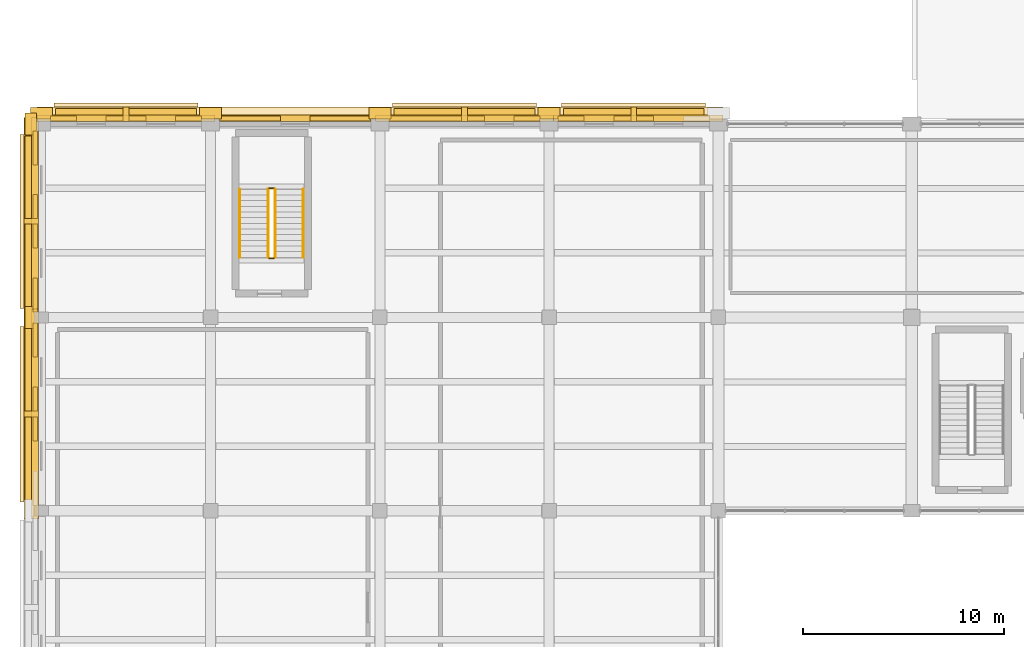
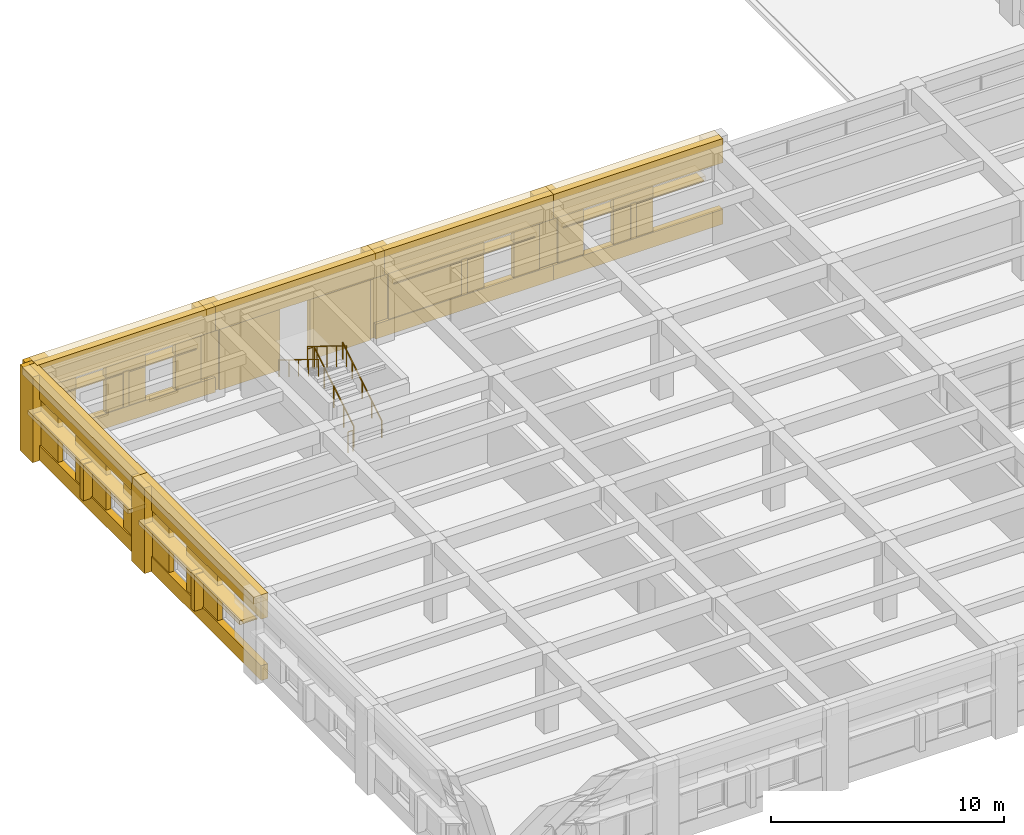
# One storey, part 42 of 49: 47 coverings, 6 railings, 5 shading devices.
"""IFC4 building model written with IfcOpenShell, lengths in metres."""

import ifcopenshell
import ifcopenshell.guid

model = None  # the IFC model being written
_history = None  # IfcOwnerHistory: only IFC2X3 demands one
_inside = {}  # id of a spatial element -> (the spatial element, [elements in it])
_under = {}  # id of a project, library or spatial element -> (it, [spatial elements below it])
_declared = {}  # id of a project -> (the project, [libraries it declares])
_typed = {}  # id of a type object -> (the type object, [elements of that type])
_made_of = {}  # id of a material, layer set ... -> (it, [elements and type objects made of it])


def new_model(schema):
    """Start an empty IFC model of exactly this schema.

    Asked for "IFC4X3", IfcOpenShell would pick the latest addendum, in which some entities
    have other attributes; the version numbers below select the first issue.
    IFC2X3 requires an IfcOwnerHistory on every rooted entity: one is made here for all.
    """
    global model, _history
    if schema == "IFC4X3":
        model = ifcopenshell.file(schema_version=(4, 3, 0, 0))
    else:
        model = ifcopenshell.file(schema=schema)
    _inside.clear()
    _under.clear()
    _declared.clear()
    _typed.clear()
    _made_of.clear()
    _history = None
    if model.schema == "IFC2X3":
        org = make("IfcOrganization", Name="unknown")
        user = make(
            "IfcPersonAndOrganization",
            ThePerson=make("IfcPerson", FamilyName="unknown"),
            TheOrganization=org,
        )
        app = make(
            "IfcApplication",
            ApplicationDeveloper=org,
            Version="unknown",
            ApplicationFullName="unknown",
            ApplicationIdentifier="unknown",
        )
        _history = make(
            "IfcOwnerHistory",
            OwningUser=user,
            OwningApplication=app,
            ChangeAction="ADDED",
            CreationDate=0,
        )
    return model


def make(cls, **values):
    """One entity of the class cls with the attributes given. An attribute that is None is left unset."""
    return model.create_entity(
        cls, **{name: value for name, value in values.items() if value is not None}
    )


def rooted(cls, **values):
    """An entity with a GlobalId (a new one), such as an element, a storey or a relation."""
    return make(cls, GlobalId=ifcopenshell.guid.new(), OwnerHistory=_history, **values)


def si_unit(unit_type, name, prefix=None):
    """IfcSIUnit, for example si_unit("LENGTHUNIT", "METRE", prefix="MILLI")."""
    return make("IfcSIUnit", UnitType=unit_type, Prefix=prefix, Name=name)


def assignment(units):
    """IfcUnitAssignment: the units of a project."""
    return None if units is None else make("IfcUnitAssignment", Units=units)


def point(xyz):
    """IfcCartesianPoint."""
    return None if xyz is None else make("IfcCartesianPoint", Coordinates=xyz)


def direction(xyz):
    """IfcDirection."""
    return None if xyz is None else make("IfcDirection", DirectionRatios=xyz)


def frame(location, z_axis=None, x_axis=None):
    """IfcAxis2Placement3D, a coordinate frame: its origin and axes. An axis left out is left unset."""
    return make(
        "IfcAxis2Placement3D",
        Location=point(location),
        Axis=direction(z_axis),
        RefDirection=direction(x_axis),
    )


def frame_2d(location, x_axis=None):
    """IfcAxis2Placement2D, a coordinate frame in the plane: its origin and x axis."""
    return make(
        "IfcAxis2Placement2D", Location=point(location), RefDirection=direction(x_axis)
    )


def origin():
    """The frame at (0, 0, 0) with its axes left unset."""
    return frame((0.0, 0.0, 0.0))


def origin_2d():
    """The frame at (0, 0) in the plane with its x axis left unset."""
    return frame_2d((0.0, 0.0))


def place(relative_to, where):
    """IfcLocalPlacement: puts the frame where relative to a parent placement (None: the world)."""
    return make(
        "IfcLocalPlacement", PlacementRelTo=relative_to, RelativePlacement=where
    )


def context(
    kind, dimensions, precision=None, world=None, true_north=None, identifier=None
):
    """IfcGeometricRepresentationContext, for example the 3D "Model" context."""
    return make(
        "IfcGeometricRepresentationContext",
        ContextIdentifier=identifier,
        ContextType=kind,
        CoordinateSpaceDimension=dimensions,
        Precision=precision,
        WorldCoordinateSystem=world,
        TrueNorth=true_north,
    )


def subcontext(parent, identifier, kind, view, scale=None):
    """IfcGeometricRepresentationSubContext, for example "Body" below "Model"."""
    return make(
        "IfcGeometricRepresentationSubContext",
        ContextIdentifier=identifier,
        ContextType=kind,
        ParentContext=parent,
        TargetScale=scale,
        TargetView=view,
    )


def project(units=None, contexts=None):
    """IfcProject with its units and contexts."""
    return rooted(
        "IfcProject",
        Name="project",
        RepresentationContexts=contexts,
        UnitsInContext=assignment(units),
    )


def spatial(cls, under=None, at=None, **own):
    """A site, building, storey or space (cls), placed at a placement, below another one or the project."""
    s = rooted(cls, ObjectPlacement=at, **own)
    if under is not None:
        _under.setdefault(under.id(), (under, []))[1].append(s)
    return s


def profile(cls, at=None, kind="AREA", **sizes):
    """A parametric profile (cls). Its sizes go by their IFC names, for example OverallWidth=200.0."""
    return make(cls, ProfileType=kind, Position=at, **sizes)


def rectangle(**sizes):
    """IfcRectangleProfileDef."""
    return profile("IfcRectangleProfileDef", **sizes)


def circle(**sizes):
    """IfcCircleProfileDef."""
    return profile("IfcCircleProfileDef", **sizes)


def extrude(swept, where, along, depth):
    """IfcExtrudedAreaSolid: the profile swept, set in the frame where, extruded along a direction by depth."""
    return make(
        "IfcExtrudedAreaSolid",
        SweptArea=swept,
        Position=where,
        ExtrudedDirection=direction(along),
        Depth=depth,
    )


def shape(context_of_items, identifier, shape_type, items):
    """IfcShapeRepresentation: the items that make up one representation, for example the "Body"."""
    return make(
        "IfcShapeRepresentation",
        ContextOfItems=context_of_items,
        RepresentationIdentifier=identifier,
        RepresentationType=shape_type,
        Items=items,
    )


def material(Name=None, Category=None):
    """IfcMaterial."""
    return make("IfcMaterial", Name=Name, Category=Category)


def layer(
    of_material, thickness, ventilated=None, Name=None, Category=None, Priority=None
):
    """IfcMaterialLayer: one layer of a wall or slab, of a material (None: an air gap)."""
    return make(
        "IfcMaterialLayer",
        Material=of_material,
        LayerThickness=thickness,
        IsVentilated=ventilated,
        Name=Name,
        Category=Category,
        Priority=Priority,
    )


def layer_set(layers, Name=None):
    """IfcMaterialLayerSet."""
    return make("IfcMaterialLayerSet", MaterialLayers=layers, LayerSetName=Name)


def made_of(thing, what):
    """Note that an element or type object is made of a material, layer set ...; save() writes the relation."""
    if what is not None:
        _made_of.setdefault(what.id(), (what, []))[1].append(thing)
    return thing


def type_object(cls, material=None, **own):
    """A type object (cls), such as IfcWallType, which elements share."""
    return made_of(rooted(cls, **own), material)


def element(
    cls,
    number,
    at=None,
    inside=None,
    cuts=None,
    type_object=None,
    material=None,
    context=None,
    identifier="Body",
    shape_type=None,
    held_by="IfcProductDefinitionShape",
    body=None,
    shapes=None,
    **own,
):
    """One element of the class cls, such as IfcWall. Its Tag is "e" and its number.

    at: its placement. inside: the storey or other place that contains it. cuts: it is an
    opening in that element (IfcRelVoidsElement). A single representation is given by context,
    identifier, shape_type and body (its items); several are given by shapes. held_by: the class
    of the entity that holds the representations. save() writes the other relations.
    """
    e = rooted(cls, Tag="e%d" % number, ObjectPlacement=at, **own)
    if body is not None:
        shapes = [shape(context, identifier, shape_type, body)]
    if shapes is not None:
        e.Representation = make(held_by, Representations=shapes)
    if inside is not None:
        _inside.setdefault(inside.id(), (inside, []))[1].append(e)
    if cuts is not None:
        rooted(
            "IfcRelVoidsElement", RelatingBuildingElement=cuts, RelatedOpeningElement=e
        )
    if type_object is not None:
        _typed.setdefault(type_object.id(), (type_object, []))[1].append(e)
    return made_of(e, material)


def aggregate(whole, parts):
    """IfcRelAggregates: a whole, such as a stair, and the parts it consists of."""
    return rooted("IfcRelAggregates", RelatingObject=whole, RelatedObjects=parts)


def save(model, path):
    """Write the relations noted so far, then the file.

    IfcRelAggregates (storeys below a building ...), IfcRelContainedInSpatialStructure (elements
    in a storey), IfcRelDefinesByType, IfcRelAssociatesMaterial and IfcRelDeclares: one each for
    every whole, place, type object, material and project.
    """
    for whole, parts in _under.values():
        aggregate(whole, parts)
    for where, things in _inside.values():
        rooted(
            "IfcRelContainedInSpatialStructure",
            RelatedElements=things,
            RelatingStructure=where,
        )
    for kind, things in _typed.values():
        rooted("IfcRelDefinesByType", RelatedObjects=things, RelatingType=kind)
    for what, things in _made_of.values():
        rooted("IfcRelAssociatesMaterial", RelatedObjects=things, RelatingMaterial=what)
    for by, libraries in _declared.values():
        rooted("IfcRelDeclares", RelatingContext=by, RelatedDefinitions=libraries)
    model.write(path)


model = new_model("IFC4")

# Units and contexts
model_context = context("Model", 3, precision=1e-05, world=origin(), true_north=direction((0.0, 1.0)))
body_context = subcontext(model_context, "Body", "Model", "MODEL_VIEW")
ifc_project = project(units=[si_unit("LENGTHUNIT", "METRE"), si_unit("AREAUNIT", "SQUARE_METRE"), si_unit("VOLUMEUNIT", "CUBIC_METRE"), si_unit("PLANEANGLEUNIT", "RADIAN"), si_unit("MASSUNIT", "GRAM", prefix="KILO")], contexts=[model_context])

# Site, building, storey
site_placement = place(None, origin())
site = spatial("IfcSite", under=ifc_project, at=site_placement, CompositionType="ELEMENT")
building_placement = place(site_placement, origin())
building = spatial("IfcBuilding", under=site, at=building_placement, Name="Bempovik Park Faculty of Sciences", CompositionType="ELEMENT")
storey_placement = place(building_placement, frame((0.0, 0.0, 5.39990234375)))
storey = spatial("IfcBuildingStorey", under=building, at=storey_placement, Name="L01", CompositionType="ELEMENT", Elevation=5.39990234375)

# Coverings
ifc_material_1 = material(Name="Precast concrete C40/50", Category="concrete")
ifc_layer_1 = layer(ifc_material_1, 0.179931640625)
ifc_layer_set_1 = layer_set([ifc_layer_1], Name="Precast concrete C40/50")
covering_type_1 = type_object("IfcCoveringType", Name="CL-02 Classical Cornice Band 180mm", PredefinedType="CLADDING", material=ifc_layer_set_1)
covering_1_placement = place(storey_placement, frame((6.699951171875, 72.60009765625, 4.14013671875), z_axis=(0.0, 0.0, 1.0), x_axis=(1.0, 0.0, 0.0)))
element("IfcCovering", 1, at=covering_1_placement, inside=storey, type_object=covering_type_1, Name="L01 Classical Projecting Dentil Cornice EW-L01-6510", PredefinedType="CLADDING", context=body_context, shape_type="SweptSolid", body=[
    extrude(rectangle(XDim=0.719970703125, YDim=10.406005859375, at=origin_2d()), origin(), (0.0, 0.0, 1.0), 0.360107421875),
])
covering_2_placement = place(storey_placement, frame((6.60009765625, 72.60009765625, 2.6103515625), z_axis=(0.0, 0.0, 1.0), x_axis=(1.0, 0.0, 0.0)))
element("IfcCovering", 2, at=covering_2_placement, inside=storey, type_object=covering_type_1, Name="L01 Classical Stone Solar Window Hood EW-L01-6510", PredefinedType="CLADDING", context=body_context, shape_type="SweptSolid", body=[
    extrude(rectangle(XDim=0.919921875, YDim=8.7060546875, at=origin_2d()), origin(), (0.0, 0.0, 1.0), 0.219970703125),
])
covering_3_placement = place(storey_placement, frame((6.699951171875, 82.159912109375, 4.14013671875), z_axis=(0.0, 0.0, 1.0), x_axis=(1.0, 0.0, 0.0)))
element("IfcCovering", 3, at=covering_3_placement, inside=storey, type_object=covering_type_1, Name="L01 Classical Projecting Dentil Cornice EW-L01-6523", PredefinedType="CLADDING", context=body_context, shape_type="SweptSolid", body=[
    extrude(rectangle(XDim=0.719970703125, YDim=10.325927734375, at=origin_2d()), origin(), (0.0, 0.0, 1.0), 0.360107421875),
])
covering_4_placement = place(storey_placement, frame((6.60009765625, 82.159912109375, 2.6103515625), z_axis=(0.0, 0.0, 1.0), x_axis=(1.0, 0.0, 0.0)))
element("IfcCovering", 4, at=covering_4_placement, inside=storey, type_object=covering_type_1, Name="L01 Classical Stone Solar Window Hood EW-L01-6523", PredefinedType="CLADDING", context=body_context, shape_type="SweptSolid", body=[
    extrude(rectangle(XDim=0.919921875, YDim=8.6259765625, at=origin_2d()), origin(), (0.0, 0.0, 1.0), 0.219970703125),
])
covering_5_placement = place(storey_placement, frame((11.39990234375, 87.469970703125, 4.14013671875), z_axis=(0.0, 0.0, 1.0), x_axis=(1.0, 0.0, 0.0)))
element("IfcCovering", 5, at=covering_5_placement, inside=storey, type_object=covering_type_1, Name="L01 Classical Projecting Dentil Cornice EW-L01-6536", PredefinedType="CLADDING", context=body_context, shape_type="SweptSolid", body=[
    extrude(rectangle(XDim=8.845947265625, YDim=0.719970703125, at=origin_2d()), origin(), (0.0, 0.0, 1.0), 0.360107421875),
])
covering_6_placement = place(storey_placement, frame((11.39990234375, 87.570068359375, 2.6103515625), z_axis=(0.0, 0.0, 1.0), x_axis=(1.0, 0.0, 0.0)))
element("IfcCovering", 6, at=covering_6_placement, inside=storey, type_object=covering_type_1, Name="L01 Classical Stone Solar Window Hood EW-L01-6536", PredefinedType="CLADDING", context=body_context, shape_type="SweptSolid", body=[
    extrude(rectangle(XDim=7.14599609375, YDim=0.919921875, at=origin_2d()), origin(), (0.0, 0.0, 1.0), 0.219970703125),
])
for number, where, z_axis, x_axis, name in (
    (7, (19.800048828125, 87.469970703125, 4.14013671875), (0.0, 0.0, 1.0), (1.0, 0.0, 0.0), "L01 Classical Projecting Dentil Cornice EW-L01-6550"),
    (8, (28.199951171875, 87.469970703125, 4.14013671875), (0.0, 0.0, 1.0), (1.0, 0.0, 0.0), "L01 Classical Projecting Dentil Cornice EW-L01-6557"),
):
    element("IfcCovering", number, at=place(storey_placement, frame(where, z_axis=z_axis, x_axis=x_axis)), inside=storey, type_object=covering_type_1, Name=name, PredefinedType="CLADDING", context=body_context, shape_type="SweptSolid", body=[
        extrude(rectangle(XDim=8.845947265625, YDim=0.719970703125, at=origin_2d()), origin(), (0.0, 0.0, 1.0), 0.360107421875),
    ])
covering_7_placement = place(storey_placement, frame((28.199951171875, 87.570068359375, 2.6103515625), z_axis=(0.0, 0.0, 1.0), x_axis=(1.0, 0.0, 0.0)))
element("IfcCovering", 9, at=covering_7_placement, inside=storey, type_object=covering_type_1, Name="L01 Classical Stone Solar Window Hood EW-L01-6557", PredefinedType="CLADDING", context=body_context, shape_type="SweptSolid", body=[
    extrude(rectangle(XDim=7.14599609375, YDim=0.919921875, at=origin_2d()), origin(), (0.0, 0.0, 1.0), 0.219970703125),
])
covering_8_placement = place(storey_placement, frame((36.60009765625, 87.469970703125, 4.14013671875), z_axis=(0.0, 0.0, 1.0), x_axis=(1.0, 0.0, 0.0)))
element("IfcCovering", 10, at=covering_8_placement, inside=storey, type_object=covering_type_1, Name="L01 Classical Projecting Dentil Cornice EW-L01-6568", PredefinedType="CLADDING", context=body_context, shape_type="SweptSolid", body=[
    extrude(rectangle(XDim=8.845947265625, YDim=0.719970703125, at=origin_2d()), origin(), (0.0, 0.0, 1.0), 0.360107421875),
])
covering_9_placement = place(storey_placement, frame((36.60009765625, 87.570068359375, 2.6103515625), z_axis=(0.0, 0.0, 1.0), x_axis=(1.0, 0.0, 0.0)))
element("IfcCovering", 11, at=covering_9_placement, inside=storey, type_object=covering_type_1, Name="L01 Classical Stone Solar Window Hood EW-L01-6568", PredefinedType="CLADDING", context=body_context, shape_type="SweptSolid", body=[
    extrude(rectangle(XDim=7.14599609375, YDim=0.919921875, at=origin_2d()), origin(), (0.0, 0.0, 1.0), 0.219970703125),
])
ifc_material_2 = material(Name="White reconstituted limestone precast C40/50", Category="masonry")
ifc_layer_2 = layer(ifc_material_2, 0.239990234375)
ifc_layer_set_2 = layer_set([ifc_layer_2], Name="White reconstituted limestone precast C40/50")
covering_type_2 = type_object("IfcCoveringType", Name="CL-03 Classical Fluted Limestone Pilaster 240mm", PredefinedType="CLADDING", material=ifc_layer_set_2)
covering_10_placement = place(storey_placement, frame((6.889892578125, 72.60009765625, 3.22021484375), z_axis=(0.0, 0.0, 1.0), x_axis=(1.0, 0.0, 0.0)))
element("IfcCovering", 12, at=covering_10_placement, inside=storey, type_object=covering_type_2, Name="L01 Classical Limestone Spandrel Entablature EW-L01-6510", PredefinedType="CLADDING", context=body_context, shape_type="SweptSolid", body=[
    extrude(rectangle(XDim=0.340087890625, YDim=10.406005859375, at=origin_2d()), origin(), (0.0, 0.0, 1.0), 1.280029296875),
])
covering_11_placement = place(storey_placement, frame((6.889892578125, 72.60009765625, 0.0), z_axis=(0.0, 0.0, 1.0), x_axis=(1.0, 0.0, 0.0)))
element("IfcCovering", 13, at=covering_11_placement, inside=storey, type_object=covering_type_2, Name="L01 Classical Limestone Sill Dado EW-L01-6510", PredefinedType="CLADDING", context=body_context, shape_type="SweptSolid", body=[
    extrude(rectangle(XDim=0.340087890625, YDim=10.406005859375, at=origin_2d()), origin(), (0.0, 0.0, 1.0), 0.780029296875),
])
covering_12_placement = place(storey_placement, frame((6.669921875, 77.39990234375, 0.0), z_axis=(0.0, 0.0, 1.0), x_axis=(1.0, 0.0, 0.0)))
element("IfcCovering", 14, at=covering_12_placement, inside=storey, type_object=covering_type_2, Name="L01 Classical Fluted Stone Pilaster PIL-BA-L01-67-774", PredefinedType="CLADDING", context=body_context, shape_type="SweptSolid", body=[
    extrude(rectangle(XDim=0.580078125, YDim=1.10009765625, at=origin_2d()), origin(), (0.0, 0.0, 1.0), 4.5),
])
covering_13_placement = place(storey_placement, frame((6.89990234375, 72.60009765625, 0.000244140625), z_axis=(0.0, 0.0, 1.0), x_axis=(1.0, 0.0, 0.0)))
element("IfcCovering", 15, at=covering_13_placement, inside=storey, type_object=covering_type_2, Name="L01 White Limestone Wall Cheek EW-L01-6510-2", PredefinedType="CLADDING", context=body_context, shape_type="SweptSolid", body=[
    extrude(rectangle(XDim=0.239990234375, YDim=2.685791015625, at=origin_2d()), origin(), (0.0, 0.0, 1.0), 3.3798828125),
])
covering_14_placement = place(storey_placement, frame((6.89990234375, 76.275390625, 0.000244140625), z_axis=(0.0, 0.0, 1.0), x_axis=(1.0, 0.0, 0.0)))
element("IfcCovering", 16, at=covering_14_placement, inside=storey, type_object=covering_type_2, Name="L01 White Limestone Wall Cheek EW-L01-6510-4", PredefinedType="CLADDING", context=body_context, shape_type="SweptSolid", body=[
    extrude(rectangle(XDim=0.239990234375, YDim=1.705078125, at=origin_2d()), origin(), (0.0, 0.0, 1.0), 3.3798828125),
])
covering_15_placement = place(storey_placement, frame((6.68994140625, 72.60009765625, 0.7001953125), z_axis=(0.0, 0.0, 1.0), x_axis=(1.0, 0.0, 0.0)))
element("IfcCovering", 17, at=covering_15_placement, inside=storey, type_object=covering_type_2, Name="L01 Classical Vertical Stone Shading Fin EW-L01-6510", PredefinedType="CLADDING", context=body_context, shape_type="SweptSolid", body=[
    extrude(rectangle(XDim=0.719970703125, YDim=0.280029296875, at=origin_2d()), origin(), (0.0, 0.0, 1.0), 1.949951171875),
])
covering_16_placement = place(storey_placement, frame((6.889892578125, 82.159912109375, 3.22021484375), z_axis=(0.0, 0.0, 1.0), x_axis=(1.0, 0.0, 0.0)))
element("IfcCovering", 18, at=covering_16_placement, inside=storey, type_object=covering_type_2, Name="L01 Classical Limestone Spandrel Entablature EW-L01-6523", PredefinedType="CLADDING", context=body_context, shape_type="SweptSolid", body=[
    extrude(rectangle(XDim=0.340087890625, YDim=10.325927734375, at=origin_2d()), origin(), (0.0, 0.0, 1.0), 1.280029296875),
])
covering_17_placement = place(storey_placement, frame((6.889892578125, 82.159912109375, 0.0), z_axis=(0.0, 0.0, 1.0), x_axis=(1.0, 0.0, 0.0)))
element("IfcCovering", 19, at=covering_17_placement, inside=storey, type_object=covering_type_2, Name="L01 Classical Limestone Sill Dado EW-L01-6523", PredefinedType="CLADDING", context=body_context, shape_type="SweptSolid", body=[
    extrude(rectangle(XDim=0.340087890625, YDim=10.325927734375, at=origin_2d()), origin(), (0.0, 0.0, 1.0), 0.780029296875),
])
covering_18_placement = place(storey_placement, frame((6.669921875, 87.0, 0.0), z_axis=(0.0, 0.0, 1.0), x_axis=(1.0, 0.0, 0.0)))
element("IfcCovering", 20, at=covering_18_placement, inside=storey, type_object=covering_type_2, Name="L01 Classical Fluted Stone Pilaster PIL-BA-L01-67-870", PredefinedType="CLADDING", context=body_context, shape_type="SweptSolid", body=[
    extrude(rectangle(XDim=0.580078125, YDim=1.10009765625, at=origin_2d()), origin(), (0.0, 0.0, 1.0), 4.5),
])
covering_19_placement = place(storey_placement, frame((6.89990234375, 78.513916015625, 0.000244140625), z_axis=(0.0, 0.0, 1.0), x_axis=(1.0, 0.0, 0.0)))
element("IfcCovering", 21, at=covering_19_placement, inside=storey, type_object=covering_type_2, Name="L01 White Limestone Wall Cheek EW-L01-6523-0", PredefinedType="CLADDING", context=body_context, shape_type="SweptSolid", body=[
    extrude(rectangle(XDim=0.239990234375, YDim=1.68359375, at=origin_2d()), origin(), (0.0, 0.0, 1.0), 3.3798828125),
])
covering_20_placement = place(storey_placement, frame((6.89990234375, 82.159912109375, 0.000244140625), z_axis=(0.0, 0.0, 1.0), x_axis=(1.0, 0.0, 0.0)))
element("IfcCovering", 22, at=covering_20_placement, inside=storey, type_object=covering_type_2, Name="L01 White Limestone Wall Cheek EW-L01-6523-2", PredefinedType="CLADDING", context=body_context, shape_type="SweptSolid", body=[
    extrude(rectangle(XDim=0.239990234375, YDim=2.64892578125, at=origin_2d()), origin(), (0.0, 0.0, 1.0), 3.3798828125),
])
covering_21_placement = place(storey_placement, frame((6.89990234375, 85.80615234375, 0.000244140625), z_axis=(0.0, 0.0, 1.0), x_axis=(1.0, 0.0, 0.0)))
element("IfcCovering", 23, at=covering_21_placement, inside=storey, type_object=covering_type_2, Name="L01 White Limestone Wall Cheek EW-L01-6523-4", PredefinedType="CLADDING", context=body_context, shape_type="SweptSolid", body=[
    extrude(rectangle(XDim=0.239990234375, YDim=1.68359375, at=origin_2d()), origin(), (0.0, 0.0, 1.0), 3.3798828125),
])
covering_22_placement = place(storey_placement, frame((6.68994140625, 82.159912109375, 0.7001953125), z_axis=(0.0, 0.0, 1.0), x_axis=(1.0, 0.0, 0.0)))
element("IfcCovering", 24, at=covering_22_placement, inside=storey, type_object=covering_type_2, Name="L01 Classical Vertical Stone Shading Fin EW-L01-6523", PredefinedType="CLADDING", context=body_context, shape_type="SweptSolid", body=[
    extrude(rectangle(XDim=0.719970703125, YDim=0.280029296875, at=origin_2d()), origin(), (0.0, 0.0, 1.0), 1.949951171875),
])
covering_23_placement = place(storey_placement, frame((11.39990234375, 87.280029296875, 3.22021484375), z_axis=(0.0, 0.0, 1.0), x_axis=(1.0, 0.0, 0.0)))
element("IfcCovering", 25, at=covering_23_placement, inside=storey, type_object=covering_type_2, Name="L01 Classical Limestone Spandrel Entablature EW-L01-6536", PredefinedType="CLADDING", context=body_context, shape_type="SweptSolid", body=[
    extrude(rectangle(XDim=8.845947265625, YDim=0.340087890625, at=origin_2d()), origin(), (0.0, 0.0, 1.0), 1.280029296875),
])
covering_24_placement = place(storey_placement, frame((11.39990234375, 87.280029296875, 0.0), z_axis=(0.0, 0.0, 1.0), x_axis=(1.0, 0.0, 0.0)))
element("IfcCovering", 26, at=covering_24_placement, inside=storey, type_object=covering_type_2, Name="L01 Classical Limestone Sill Dado EW-L01-6536", PredefinedType="CLADDING", context=body_context, shape_type="SweptSolid", body=[
    extrude(rectangle(XDim=8.845947265625, YDim=0.340087890625, at=origin_2d()), origin(), (0.0, 0.0, 1.0), 0.780029296875),
])
for number, where, z_axis, x_axis, name in (
    (27, (7.199951171875, 87.530029296875, 0.0), (0.0, 0.0, 1.0), (1.0, 0.0, 0.0), "L01 Classical Fluted Stone Pilaster PIL-BA-L01-72-875"),
    (28, (15.60009765625, 87.530029296875, 0.0), (0.0, 0.0, 1.0), (1.0, 0.0, 0.0), "L01 Classical Fluted Stone Pilaster PIL-BA-L01-156-875"),
):
    element("IfcCovering", number, at=place(storey_placement, frame(where, z_axis=z_axis, x_axis=x_axis)), inside=storey, type_object=covering_type_2, Name=name, PredefinedType="CLADDING", context=body_context, shape_type="SweptSolid", body=[
        extrude(rectangle(XDim=1.10009765625, YDim=0.580078125, at=origin_2d()), origin(), (0.0, 0.0, 1.0), 4.5),
    ])
covering_25_placement = place(storey_placement, frame((8.2939453125, 87.27001953125, 0.000244140625), z_axis=(0.0, 0.0, 1.0), x_axis=(1.0, 0.0, 0.0)))
element("IfcCovering", 29, at=covering_25_placement, inside=storey, type_object=covering_type_2, Name="L01 White Limestone Wall Cheek EW-L01-6536-0", PredefinedType="CLADDING", context=body_context, shape_type="SweptSolid", body=[
    extrude(rectangle(XDim=1.283935546875, YDim=0.239990234375, at=origin_2d()), origin(), (0.0, 0.0, 1.0), 3.3798828125),
])
covering_26_placement = place(storey_placement, frame((11.39990234375, 87.27001953125, 0.000244140625), z_axis=(0.0, 0.0, 1.0), x_axis=(1.0, 0.0, 0.0)))
element("IfcCovering", 30, at=covering_26_placement, inside=storey, type_object=covering_type_2, Name="L01 White Limestone Wall Cheek EW-L01-6536-2", PredefinedType="CLADDING", context=body_context, shape_type="SweptSolid", body=[
    extrude(rectangle(XDim=1.96826171875, YDim=0.239990234375, at=origin_2d()), origin(), (0.0, 0.0, 1.0), 3.3798828125),
])
covering_27_placement = place(storey_placement, frame((14.506103515625, 87.27001953125, 0.000244140625), z_axis=(0.0, 0.0, 1.0), x_axis=(1.0, 0.0, 0.0)))
element("IfcCovering", 31, at=covering_27_placement, inside=storey, type_object=covering_type_2, Name="L01 White Limestone Wall Cheek EW-L01-6536-4", PredefinedType="CLADDING", context=body_context, shape_type="SweptSolid", body=[
    extrude(rectangle(XDim=1.283935546875, YDim=0.239990234375, at=origin_2d()), origin(), (0.0, 0.0, 1.0), 3.3798828125),
])
covering_28_placement = place(storey_placement, frame((11.39990234375, 87.47998046875, 0.7001953125), z_axis=(0.0, 0.0, 1.0), x_axis=(1.0, 0.0, 0.0)))
element("IfcCovering", 32, at=covering_28_placement, inside=storey, type_object=covering_type_2, Name="L01 Classical Vertical Stone Shading Fin EW-L01-6536", PredefinedType="CLADDING", context=body_context, shape_type="SweptSolid", body=[
    extrude(rectangle(XDim=0.280029296875, YDim=0.719970703125, at=origin_2d()), origin(), (0.0, 0.0, 1.0), 1.949951171875),
])
covering_29_placement = place(storey_placement, frame((19.800048828125, 87.280029296875, 3.22021484375), z_axis=(0.0, 0.0, 1.0), x_axis=(1.0, 0.0, 0.0)))
element("IfcCovering", 33, at=covering_29_placement, inside=storey, type_object=covering_type_2, Name="L01 Classical Limestone Spandrel Entablature EW-L01-6550", PredefinedType="CLADDING", context=body_context, shape_type="SweptSolid", body=[
    extrude(rectangle(XDim=8.845947265625, YDim=0.340087890625, at=origin_2d()), origin(), (0.0, 0.0, 1.0), 1.280029296875),
])
covering_30_placement = place(storey_placement, frame((24.0, 87.530029296875, 0.0), z_axis=(0.0, 0.0, 1.0), x_axis=(1.0, 0.0, 0.0)))
element("IfcCovering", 34, at=covering_30_placement, inside=storey, type_object=covering_type_2, Name="L01 Classical Fluted Stone Pilaster PIL-BA-L01-240-875", PredefinedType="CLADDING", context=body_context, shape_type="SweptSolid", body=[
    extrude(rectangle(XDim=1.10009765625, YDim=0.580078125, at=origin_2d()), origin(), (0.0, 0.0, 1.0), 4.5),
])
for number, where, z_axis, x_axis, name in (
    (35, (17.555908203125, 87.27001953125, 0.000244140625), (0.0, 0.0, 1.0), (1.0, 0.0, 0.0), "L01 Stairwell White Limestone Cheek EW-L01-6550-1"),
    (36, (22.0439453125, 87.27001953125, 0.000244140625), (0.0, 0.0, 1.0), (1.0, 0.0, 0.0), "L01 Stairwell White Limestone Cheek EW-L01-6550-2"),
):
    element("IfcCovering", number, at=place(storey_placement, frame(where, z_axis=z_axis, x_axis=x_axis)), inside=storey, type_object=covering_type_2, Name=name, PredefinedType="CLADDING", context=body_context, shape_type="SweptSolid", body=[
        extrude(rectangle(XDim=3.008056640625, YDim=0.239990234375, at=origin_2d()), origin(), (0.0, 0.0, 1.0), 3.3798828125),
    ])
covering_31_placement = place(storey_placement, frame((28.199951171875, 87.280029296875, 3.22021484375), z_axis=(0.0, 0.0, 1.0), x_axis=(1.0, 0.0, 0.0)))
element("IfcCovering", 37, at=covering_31_placement, inside=storey, type_object=covering_type_2, Name="L01 Classical Limestone Spandrel Entablature EW-L01-6557", PredefinedType="CLADDING", context=body_context, shape_type="SweptSolid", body=[
    extrude(rectangle(XDim=8.845947265625, YDim=0.340087890625, at=origin_2d()), origin(), (0.0, 0.0, 1.0), 1.280029296875),
])
covering_32_placement = place(storey_placement, frame((28.199951171875, 87.280029296875, 0.0), z_axis=(0.0, 0.0, 1.0), x_axis=(1.0, 0.0, 0.0)))
element("IfcCovering", 38, at=covering_32_placement, inside=storey, type_object=covering_type_2, Name="L01 Classical Limestone Sill Dado EW-L01-6557", PredefinedType="CLADDING", context=body_context, shape_type="SweptSolid", body=[
    extrude(rectangle(XDim=8.845947265625, YDim=0.340087890625, at=origin_2d()), origin(), (0.0, 0.0, 1.0), 0.780029296875),
])
covering_33_placement = place(storey_placement, frame((32.39990234375, 87.530029296875, 0.0), z_axis=(0.0, 0.0, 1.0), x_axis=(1.0, 0.0, 0.0)))
element("IfcCovering", 39, at=covering_33_placement, inside=storey, type_object=covering_type_2, Name="L01 Classical Fluted Stone Pilaster PIL-BA-L01-324-875", PredefinedType="CLADDING", context=body_context, shape_type="SweptSolid", body=[
    extrude(rectangle(XDim=1.10009765625, YDim=0.580078125, at=origin_2d()), origin(), (0.0, 0.0, 1.0), 4.5),
])
covering_34_placement = place(storey_placement, frame((26.818115234375, 87.27001953125, 0.000244140625), z_axis=(0.0, 0.0, 1.0), x_axis=(1.0, 0.0, 0.0)))
element("IfcCovering", 40, at=covering_34_placement, inside=storey, type_object=covering_type_2, Name="L01 White Limestone Wall Cheek EW-L01-6557-0", PredefinedType="CLADDING", context=body_context, shape_type="SweptSolid", body=[
    extrude(rectangle(XDim=4.732177734375, YDim=0.239990234375, at=origin_2d()), origin(), (0.0, 0.0, 1.0), 3.3798828125),
])
covering_35_placement = place(storey_placement, frame((31.30615234375, 87.27001953125, 0.000244140625), z_axis=(0.0, 0.0, 1.0), x_axis=(1.0, 0.0, 0.0)))
element("IfcCovering", 41, at=covering_35_placement, inside=storey, type_object=covering_type_2, Name="L01 White Limestone Wall Cheek EW-L01-6557-2", PredefinedType="CLADDING", context=body_context, shape_type="SweptSolid", body=[
    extrude(rectangle(XDim=1.283935546875, YDim=0.239990234375, at=origin_2d()), origin(), (0.0, 0.0, 1.0), 3.3798828125),
])
covering_36_placement = place(storey_placement, frame((28.199951171875, 87.47998046875, 0.7001953125), z_axis=(0.0, 0.0, 1.0), x_axis=(1.0, 0.0, 0.0)))
element("IfcCovering", 42, at=covering_36_placement, inside=storey, type_object=covering_type_2, Name="L01 Classical Vertical Stone Shading Fin EW-L01-6557", PredefinedType="CLADDING", context=body_context, shape_type="SweptSolid", body=[
    extrude(rectangle(XDim=0.280029296875, YDim=0.719970703125, at=origin_2d()), origin(), (0.0, 0.0, 1.0), 1.949951171875),
])
covering_37_placement = place(storey_placement, frame((36.60009765625, 87.280029296875, 3.22021484375), z_axis=(0.0, 0.0, 1.0), x_axis=(1.0, 0.0, 0.0)))
element("IfcCovering", 43, at=covering_37_placement, inside=storey, type_object=covering_type_2, Name="L01 Classical Limestone Spandrel Entablature EW-L01-6568", PredefinedType="CLADDING", context=body_context, shape_type="SweptSolid", body=[
    extrude(rectangle(XDim=8.845947265625, YDim=0.340087890625, at=origin_2d()), origin(), (0.0, 0.0, 1.0), 1.280029296875),
])
covering_38_placement = place(storey_placement, frame((36.60009765625, 87.280029296875, 0.0), z_axis=(0.0, 0.0, 1.0), x_axis=(1.0, 0.0, 0.0)))
element("IfcCovering", 44, at=covering_38_placement, inside=storey, type_object=covering_type_2, Name="L01 Classical Limestone Sill Dado EW-L01-6568", PredefinedType="CLADDING", context=body_context, shape_type="SweptSolid", body=[
    extrude(rectangle(XDim=8.845947265625, YDim=0.340087890625, at=origin_2d()), origin(), (0.0, 0.0, 1.0), 0.780029296875),
])
covering_39_placement = place(storey_placement, frame((33.493896484375, 87.27001953125, 0.000244140625), z_axis=(0.0, 0.0, 1.0), x_axis=(1.0, 0.0, 0.0)))
element("IfcCovering", 45, at=covering_39_placement, inside=storey, type_object=covering_type_2, Name="L01 White Limestone Wall Cheek EW-L01-6568-0", PredefinedType="CLADDING", context=body_context, shape_type="SweptSolid", body=[
    extrude(rectangle(XDim=1.283935546875, YDim=0.239990234375, at=origin_2d()), origin(), (0.0, 0.0, 1.0), 3.3798828125),
])
covering_40_placement = place(storey_placement, frame((36.60009765625, 87.27001953125, 0.000244140625), z_axis=(0.0, 0.0, 1.0), x_axis=(1.0, 0.0, 0.0)))
element("IfcCovering", 46, at=covering_40_placement, inside=storey, type_object=covering_type_2, Name="L01 White Limestone Wall Cheek EW-L01-6568-2", PredefinedType="CLADDING", context=body_context, shape_type="SweptSolid", body=[
    extrude(rectangle(XDim=1.96826171875, YDim=0.239990234375, at=origin_2d()), origin(), (0.0, 0.0, 1.0), 3.3798828125),
])
covering_41_placement = place(storey_placement, frame((36.60009765625, 87.47998046875, 0.7001953125), z_axis=(0.0, 0.0, 1.0), x_axis=(1.0, 0.0, 0.0)))
element("IfcCovering", 47, at=covering_41_placement, inside=storey, type_object=covering_type_2, Name="L01 Classical Vertical Stone Shading Fin EW-L01-6568", PredefinedType="CLADDING", context=body_context, shape_type="SweptSolid", body=[
    extrude(rectangle(XDim=0.280029296875, YDim=0.719970703125, at=origin_2d()), origin(), (0.0, 0.0, 1.0), 1.949951171875),
])

# Railings
ifc_material_3 = material(Name="Anodised architectural bronze")
railing_type_1 = type_object("IfcRailingType", Name="GR-01 Guardrail 1120mm", PredefinedType="GUARDRAIL", material=ifc_material_3)
railing_1_placement = place(storey_placement, frame((18.800048828125, 80.375, 0.173095703125)))
element("IfcRailing", 48, at=railing_1_placement, inside=storey, type_object=railing_type_1, Name="L01 ST-3 Stair Guard 1", PredefinedType="GUARDRAIL", context=body_context, shape_type="SweptSolid", body=[
    extrude(circle(Radius=0.02392578125, at=origin_2d()), frame((0.0, 0.0, 1.09619140625), z_axis=(0.0, 0.851660431972, 0.524093988338), x_axis=(-1.0, 0.0, 0.0)), (0.0, 0.0, 1.0), 3.962890625),
    extrude(circle(Radius=0.02099609375, at=origin_2d()), origin(), (0.0, 0.0, 1.0), 1.072021484375),
    extrude(circle(Radius=0.02099609375, at=origin_2d()), frame((0.0, 0.84375, 0.519287109375)), (0.0, 0.0, 1.0), 1.072021484375),
    extrude(circle(Radius=0.02099609375, at=origin_2d()), frame((0.0, 1.6875, 1.03857421875)), (0.0, 0.0, 1.0), 1.072021484375),
    extrude(circle(Radius=0.02099609375, at=origin_2d()), frame((0.0, 2.53125, 1.5576171875)), (0.0, 0.0, 1.0), 1.072021484375),
    extrude(circle(Radius=0.02099609375, at=origin_2d()), frame((0.0, 3.375, 2.076904296875)), (0.0, 0.0, 1.0), 1.072021484375),
])
railing_2_placement = place(storey_placement, frame((18.75, 83.800048828125, 2.25)))
element("IfcRailing", 49, at=railing_2_placement, inside=storey, type_object=railing_type_1, Name="L01 ST-3 Stair Guard 2", PredefinedType="GUARDRAIL", context=body_context, shape_type="SweptSolid", body=[
    extrude(circle(Radius=0.02392578125, at=origin_2d()), frame((0.0, 0.0, 1.09619140625), z_axis=(-1.0, 0.0, 0.0), x_axis=(0.0, -1.0, 0.0)), (0.0, 0.0, 1.0), 0.25),
    extrude(circle(Radius=0.02099609375, at=origin_2d()), origin(), (0.0, 0.0, 1.0), 1.072021484375),
    extrude(circle(Radius=0.02099609375, at=origin_2d()), frame((-0.25, 0.0, 0.0)), (0.0, 0.0, 1.0), 1.072021484375),
])
railing_3_placement = place(storey_placement, frame((18.449951171875, 83.75, 2.423095703125)))
element("IfcRailing", 50, at=railing_3_placement, inside=storey, type_object=railing_type_1, Name="L01 ST-3 Stair Guard 3", PredefinedType="GUARDRAIL", context=body_context, shape_type="SweptSolid", body=[
    extrude(circle(Radius=0.02392578125, at=origin_2d()), frame((0.0, 0.0, 1.09619140625), z_axis=(0.0, -0.851660431972, 0.524093988338), x_axis=(1.0, 0.0, 0.0)), (0.0, 0.0, 1.0), 3.962890625),
    extrude(circle(Radius=0.02099609375, at=origin_2d()), origin(), (0.0, 0.0, 1.0), 1.072021484375),
    extrude(circle(Radius=0.02099609375, at=origin_2d()), frame((0.0, -0.84375, 0.519287109375)), (0.0, 0.0, 1.0), 1.072021484375),
    extrude(circle(Radius=0.02099609375, at=origin_2d()), frame((0.0, -1.6875, 1.03857421875)), (0.0, 0.0, 1.0), 1.072021484375),
    extrude(circle(Radius=0.02099609375, at=origin_2d()), frame((0.0, -2.53125, 1.5576171875)), (0.0, 0.0, 1.0), 1.072021484375),
    extrude(circle(Radius=0.02099609375, at=origin_2d()), frame((0.0, -3.375, 2.076904296875)), (0.0, 0.0, 1.0), 1.072021484375),
])
railing_4_placement = place(storey_placement, frame((18.75, 80.324951171875, 0.0)))
element("IfcRailing", 51, at=railing_4_placement, inside=storey, type_object=railing_type_1, Name="L01 ST-3 Stair Guard 4", PredefinedType="GUARDRAIL", context=body_context, shape_type="SweptSolid", body=[
    extrude(circle(Radius=0.02392578125, at=origin_2d()), frame((0.0, 0.0, 1.09619140625), z_axis=(-1.0, 0.0, 0.0), x_axis=(0.0, -1.0, 0.0)), (0.0, 0.0, 1.0), 0.25),
    extrude(circle(Radius=0.02099609375, at=origin_2d()), origin(), (0.0, 0.0, 1.0), 1.072021484375),
    extrude(circle(Radius=0.02099609375, at=origin_2d()), frame((-0.25, 0.0, 0.0)), (0.0, 0.0, 1.0), 1.072021484375),
])
railing_type_2 = type_object("IfcRailingType", Name="HR-01 Wall Handrail 900mm", PredefinedType="HANDRAIL", material=ifc_material_3)
railing_5_placement = place(storey_placement, frame((20.199951171875, 80.375, 0.173095703125)))
element("IfcRailing", 52, at=railing_5_placement, inside=storey, type_object=railing_type_2, Name="L01 ST-3 Stair Handrail 1", PredefinedType="HANDRAIL", context=body_context, shape_type="SweptSolid", body=[
    extrude(circle(Radius=0.02392578125, at=origin_2d()), frame((0.0, 0.0, 0.8759765625), z_axis=(0.0, 0.851660431972, 0.524093988338), x_axis=(-1.0, 0.0, 0.0)), (0.0, 0.0, 1.0), 3.962890625),
    extrude(circle(Radius=0.02099609375, at=origin_2d()), origin(), (0.0, 0.0, 1.0), 0.851806640625),
    extrude(circle(Radius=0.02099609375, at=origin_2d()), frame((0.0, 0.84375, 0.519287109375)), (0.0, 0.0, 1.0), 0.851806640625),
    extrude(circle(Radius=0.02099609375, at=origin_2d()), frame((0.0, 1.6875, 1.03857421875)), (0.0, 0.0, 1.0), 0.851806640625),
    extrude(circle(Radius=0.02099609375, at=origin_2d()), frame((0.0, 2.53125, 1.5576171875)), (0.0, 0.0, 1.0), 0.851806640625),
    extrude(circle(Radius=0.02099609375, at=origin_2d()), frame((0.0, 3.375, 2.076904296875)), (0.0, 0.0, 1.0), 0.851806640625),
])
railing_6_placement = place(storey_placement, frame((17.050048828125, 83.75, 2.423095703125)))
element("IfcRailing", 53, at=railing_6_placement, inside=storey, type_object=railing_type_2, Name="L01 ST-3 Stair Handrail 2", PredefinedType="HANDRAIL", context=body_context, shape_type="SweptSolid", body=[
    extrude(circle(Radius=0.02392578125, at=origin_2d()), frame((0.0, 0.0, 0.8759765625), z_axis=(0.0, -0.851660431972, 0.524093988338), x_axis=(1.0, 0.0, 0.0)), (0.0, 0.0, 1.0), 3.962890625),
    extrude(circle(Radius=0.02099609375, at=origin_2d()), origin(), (0.0, 0.0, 1.0), 0.851806640625),
    extrude(circle(Radius=0.02099609375, at=origin_2d()), frame((0.0, -0.84375, 0.519287109375)), (0.0, 0.0, 1.0), 0.851806640625),
    extrude(circle(Radius=0.02099609375, at=origin_2d()), frame((0.0, -1.6875, 1.03857421875)), (0.0, 0.0, 1.0), 0.851806640625),
    extrude(circle(Radius=0.02099609375, at=origin_2d()), frame((0.0, -2.53125, 1.5576171875)), (0.0, 0.0, 1.0), 0.851806640625),
    extrude(circle(Radius=0.02099609375, at=origin_2d()), frame((0.0, -3.375, 2.076904296875)), (0.0, 0.0, 1.0), 0.851806640625),
])

# Shading devices
ifc_layer_3 = layer(ifc_material_3, 0.06005859375)
ifc_layer_set_3 = layer_set([ifc_layer_3], Name="Anodised architectural bronze")
shading_device_type = type_object("IfcShadingDeviceType", Name="SH-01 Bronze Brise-Soleil Fin", PredefinedType="USERDEFINED", material=ifc_layer_set_3)
shading_device_1_placement = place(storey_placement, frame((6.719970703125, 72.60009765625, 2.550048828125), z_axis=(0.0, 0.0, 1.0), x_axis=(1.0, 0.0, 0.0)))
element("IfcShadingDevice", 54, at=shading_device_1_placement, inside=storey, type_object=shading_device_type, Name="L01 Equatorial Bronze Brise-Soleil EW-L01-6510", ObjectType="BRISE SOLEIL", PredefinedType="USERDEFINED", context=body_context, shape_type="SweptSolid", body=[
    extrude(rectangle(XDim=0.64990234375, YDim=8.555908203125, at=origin_2d()), origin(), (0.0, 0.0, 1.0), 0.06005859375),
])
shading_device_2_placement = place(storey_placement, frame((6.719970703125, 82.159912109375, 2.550048828125), z_axis=(0.0, 0.0, 1.0), x_axis=(1.0, 0.0, 0.0)))
element("IfcShadingDevice", 55, at=shading_device_2_placement, inside=storey, type_object=shading_device_type, Name="L01 Equatorial Bronze Brise-Soleil EW-L01-6523", ObjectType="BRISE SOLEIL", PredefinedType="USERDEFINED", context=body_context, shape_type="SweptSolid", body=[
    extrude(rectangle(XDim=0.64990234375, YDim=8.47607421875, at=origin_2d()), origin(), (0.0, 0.0, 1.0), 0.06005859375),
])
for number, where, z_axis, x_axis, name in (
    (56, (11.39990234375, 87.449951171875, 2.550048828125), (0.0, 0.0, 1.0), (1.0, 0.0, 0.0), "L01 Equatorial Bronze Brise-Soleil EW-L01-6536"),
    (57, (28.199951171875, 87.449951171875, 2.550048828125), (0.0, 0.0, 1.0), (1.0, 0.0, 0.0), "L01 Equatorial Bronze Brise-Soleil EW-L01-6557"),
    (58, (36.60009765625, 87.449951171875, 2.550048828125), (0.0, 0.0, 1.0), (1.0, 0.0, 0.0), "L01 Equatorial Bronze Brise-Soleil EW-L01-6568"),
):
    element("IfcShadingDevice", number, at=place(storey_placement, frame(where, z_axis=z_axis, x_axis=x_axis)), inside=storey, type_object=shading_device_type, Name=name, ObjectType="BRISE SOLEIL", PredefinedType="USERDEFINED", context=body_context, shape_type="SweptSolid", body=[
        extrude(rectangle(XDim=6.99609375, YDim=0.64990234375, at=origin_2d()), origin(), (0.0, 0.0, 1.0), 0.06005859375),
    ])

save(model, "model.ifc")
